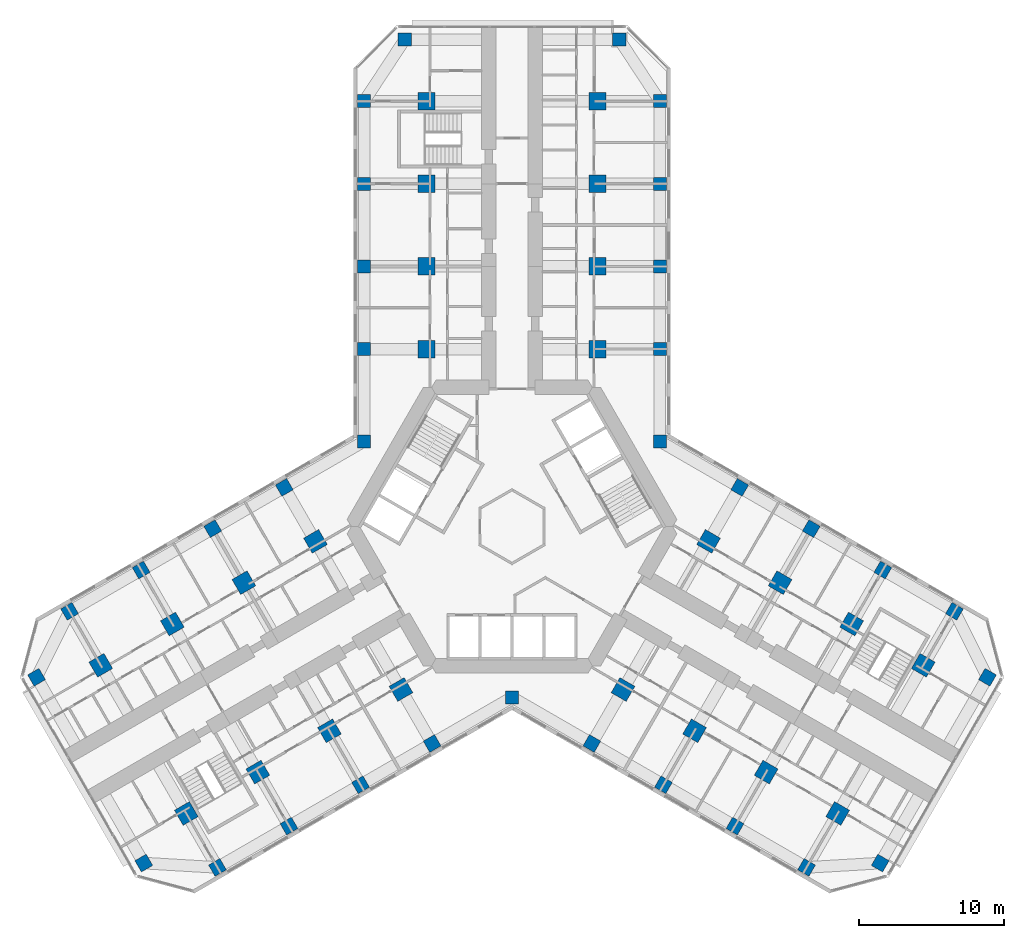
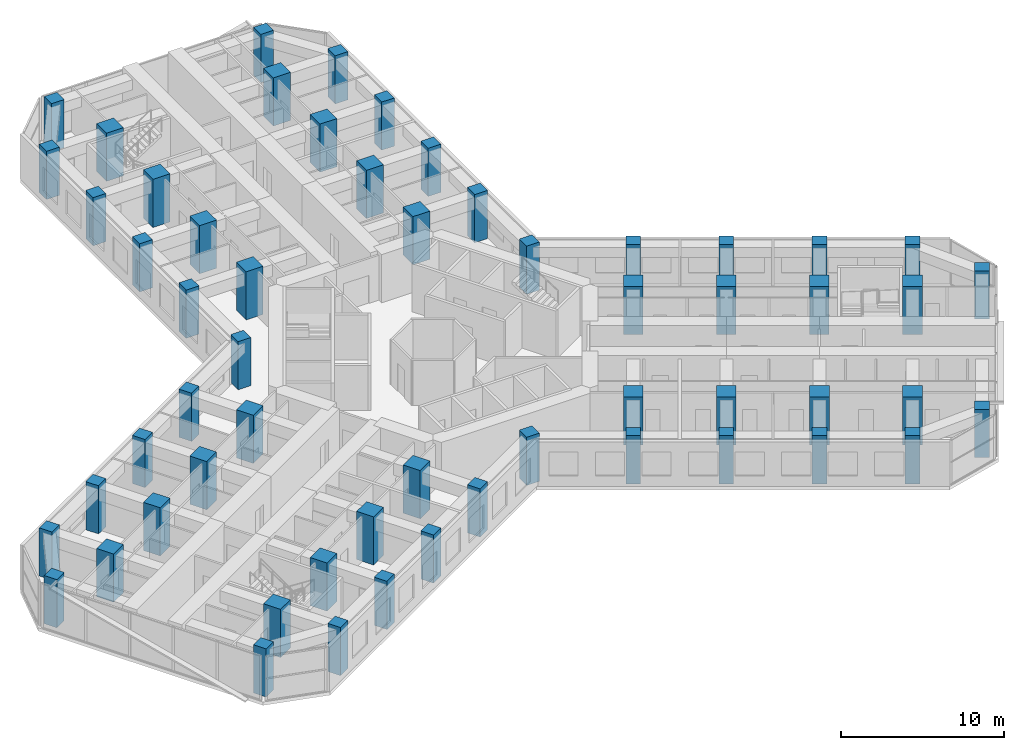
# One storey, part 1 of 21: 57 columns.
"""IFC4 building model written with IfcOpenShell, lengths in metres."""

from ifc_helpers import new_model, si_unit, direction, frame, origin, origin_2d, place, context, subcontext, project, spatial, rectangle, extrude, material, material_profile, profile_set, type_object, element, save


model = new_model("IFC4")

# Units and contexts
model_context = context("Model", 3, precision=1e-05, world=origin(), true_north=direction((0.0, 1.0)))
body_context = subcontext(model_context, "Body", "Model", "MODEL_VIEW")
ifc_project = project(units=[si_unit("LENGTHUNIT", "METRE"), si_unit("AREAUNIT", "SQUARE_METRE"), si_unit("VOLUMEUNIT", "CUBIC_METRE"), si_unit("PLANEANGLEUNIT", "RADIAN"), si_unit("MASSUNIT", "GRAM", prefix="KILO")], contexts=[model_context])

# Site, building, storey
site_placement = place(None, origin())
site = spatial("IfcSite", under=ifc_project, at=site_placement, CompositionType="ELEMENT")
building_placement = place(site_placement, origin())
building = spatial("IfcBuilding", under=site, at=building_placement, Name="Kosmar Iwan School Tower", CompositionType="ELEMENT")
storey_placement = place(building_placement, frame((0.0, 0.0, 88.0)))
storey = spatial("IfcBuildingStorey", under=building, at=storey_placement, Name="L21", CompositionType="ELEMENT", Elevation=88.0)

# Columns
ifc_material_1 = material(Name="Concrete C50/60", Category="concrete")
ifc_material_profile_1 = material_profile(ifc_material_1, rectangle(XDim=0.89990234375, YDim=0.89990234375, at=origin_2d()), Name="RC 900x900 + HD 400x634")
ifc_profile_set_1 = profile_set([ifc_material_profile_1], Name="Concrete C50/60")
column_type_1 = type_object("IfcColumnType", Name="Composite column 900x900 HD 400x634", PredefinedType="COLUMN", material=ifc_profile_set_1)
for number, where, z_axis, x_axis, name in (
    (1, (-10.199951171875, 12.25, 0.0), (0.0, 0.0, 1.0), (0.0, 1.0, 0.0), "Column AL1 L21"),
    (2, (-10.199951171875, 17.949951171875, 0.0), (0.0, 0.0, 1.0), (0.0, 1.0, 0.0), "Column AL2 L21"),
    (3, (-10.199951171875, 23.64990234375, 0.0), (0.0, 0.0, 1.0), (0.0, 1.0, 0.0), "Column AL3 L21"),
    (4, (-10.199951171875, 29.35009765625, 0.0), (0.0, 0.0, 1.0), (0.0, 1.0, 0.0), "Column AL4 L21"),
    (5, (-7.39990234375, 33.60009765625, 0.0), (0.0, 0.0, 1.0), (0.0, 1.0, 0.0), "Column ALTIP L21"),
    (6, (10.199951171875, 12.25, 0.0), (0.0, 0.0, 1.0), (0.0, 1.0, 0.0), "Column AR1 L21"),
    (7, (10.199951171875, 17.949951171875, 0.0), (0.0, 0.0, 1.0), (0.0, 1.0, 0.0), "Column AR2 L21"),
    (8, (10.199951171875, 23.64990234375, 0.0), (0.0, 0.0, 1.0), (0.0, 1.0, 0.0), "Column AR3 L21"),
    (9, (10.199951171875, 29.35009765625, 0.0), (0.0, 0.0, 1.0), (0.0, 1.0, 0.0), "Column AR4 L21"),
    (10, (7.39990234375, 33.60009765625, 0.0), (0.0, 0.0, 1.0), (0.0, 1.0, 0.0), "Column ARTIP L21"),
    (11, (-5.5087890625, -14.95849609375, 0.0), (0.0, 0.0, 1.0), (-0.866025403784, -0.5, 0.0), "Column BL1 L21"),
    (12, (-10.445068359375, -17.808349609375, 0.0), (0.0, 0.0, 1.0), (-0.866025403784, -0.5, 0.0), "Column BL2 L21"),
    (13, (-15.381591796875, -20.658447265625, 0.0), (0.0, 0.0, 1.0), (-0.866025403784, -0.5, 0.0), "Column BL3 L21"),
    (14, (-20.31787109375, -23.508544921875, 0.0), (0.0, 0.0, 1.0), (-0.866025403784, -0.5, 0.0), "Column BL4 L21"),
    (15, (-25.3984375, -23.20849609375, 0.0), (0.0, 0.0, 1.0), (-0.866025403784, -0.5, 0.0), "Column BLTIP L21"),
    (16, (-15.708740234375, 2.70849609375, 0.0), (0.0, 0.0, 1.0), (-0.866025403784, -0.5, 0.0), "Column BR1 L21"),
    (17, (-20.645263671875, -0.1416015625, 0.0), (0.0, 0.0, 1.0), (-0.866025403784, -0.5, 0.0), "Column BR2 L21"),
    (18, (-25.58154296875, -2.991455078125, 0.0), (0.0, 0.0, 1.0), (-0.866025403784, -0.5, 0.0), "Column BR3 L21"),
    (19, (-30.517822265625, -5.841552734375, 0.0), (0.0, 0.0, 1.0), (-0.866025403784, -0.5, 0.0), "Column BR4 L21"),
    (20, (-32.79833984375, -10.391357421875, 0.0), (0.0, 0.0, 1.0), (-0.866025403784, -0.5, 0.0), "Column BRTIP L21"),
    (21, (15.708740234375, 2.70849609375, 0.0), (0.0, 0.0, 1.0), (0.866025403784, -0.5, 0.0), "Column CL1 L21"),
    (22, (20.645263671875, -0.1416015625, 0.0), (0.0, 0.0, 1.0), (0.866025403784, -0.5, 0.0), "Column CL2 L21"),
    (23, (25.58154296875, -2.991455078125, 0.0), (0.0, 0.0, 1.0), (0.866025403784, -0.5, 0.0), "Column CL3 L21"),
    (24, (30.517822265625, -5.841552734375, 0.0), (0.0, 0.0, 1.0), (0.866025403784, -0.5, 0.0), "Column CL4 L21"),
    (25, (32.79833984375, -10.391357421875, 0.0), (0.0, 0.0, 1.0), (0.866025403784, -0.5, 0.0), "Column CLTIP L21"),
    (26, (5.5087890625, -14.95849609375, 0.0), (0.0, 0.0, 1.0), (0.866025403784, -0.5, 0.0), "Column CR1 L21"),
    (27, (10.445068359375, -17.808349609375, 0.0), (0.0, 0.0, 1.0), (0.866025403784, -0.5, 0.0), "Column CR2 L21"),
    (28, (15.381591796875, -20.658447265625, 0.0), (0.0, 0.0, 1.0), (0.866025403784, -0.5, 0.0), "Column CR3 L21"),
    (29, (20.31787109375, -23.508544921875, 0.0), (0.0, 0.0, 1.0), (0.866025403784, -0.5, 0.0), "Column CR4 L21"),
    (30, (25.3984375, -23.20849609375, 0.0), (0.0, 0.0, 1.0), (0.866025403784, -0.5, 0.0), "Column CRTIP L21"),
    (31, (-10.199951171875, 5.888916015625, 0.0), (0.0, 0.0, 1.0), (1.0, 0.0, 0.0), "Column RAB L21"),
    (32, (10.199951171875, 5.888916015625, 0.0), (0.0, 0.0, 1.0), (1.0, 0.0, 0.0), "Column RAC L21"),
    (33, (0.0, -11.77783203125, 0.0), (0.0, 0.0, 1.0), (1.0, 0.0, 0.0), "Column RBC L21"),
):
    element("IfcColumn", number, at=place(storey_placement, frame(where, z_axis=z_axis, x_axis=x_axis)), inside=storey, type_object=column_type_1, Name=name, PredefinedType="COLUMN", context=body_context, shape_type="SweptSolid", body=[
        extrude(rectangle(XDim=0.89990234375, YDim=0.89990234375, at=origin_2d()), origin(), (0.0, 0.0, 1.0), 3.60009765625),
    ])
ifc_material_2 = material(Name="Concrete C50/60", Category="concrete")
ifc_material_profile_2 = material_profile(ifc_material_2, rectangle(XDim=1.199951171875, YDim=1.199951171875, at=origin_2d()), Name="RC 1200x1200")
ifc_profile_set_2 = profile_set([ifc_material_profile_2], Name="Concrete C50/60")
column_type_2 = type_object("IfcColumnType", Name="RC interior column 1200x1200", PredefinedType="COLUMN", material=ifc_profile_set_2)
for number, where, z_axis, x_axis, name in (
    (34, (-5.89990234375, 12.25, 0.0), (0.0, 0.0, 1.0), (0.0, 1.0, 0.0), "Interior column ALI1 L21"),
    (35, (-5.89990234375, 17.949951171875, 0.0), (0.0, 0.0, 1.0), (0.0, 1.0, 0.0), "Interior column ALI2 L21"),
    (36, (-5.89990234375, 23.64990234375, 0.0), (0.0, 0.0, 1.0), (0.0, 1.0, 0.0), "Interior column ALI3 L21"),
    (37, (-5.89990234375, 29.35009765625, 0.0), (0.0, 0.0, 1.0), (0.0, 1.0, 0.0), "Interior column ALI4 L21"),
    (38, (5.89990234375, 12.25, 0.0), (0.0, 0.0, 1.0), (0.0, 1.0, 0.0), "Interior column ARI1 L21"),
    (39, (5.89990234375, 17.949951171875, 0.0), (0.0, 0.0, 1.0), (0.0, 1.0, 0.0), "Interior column ARI2 L21"),
    (40, (5.89990234375, 23.64990234375, 0.0), (0.0, 0.0, 1.0), (0.0, 1.0, 0.0), "Interior column ARI3 L21"),
    (41, (5.89990234375, 29.35009765625, 0.0), (0.0, 0.0, 1.0), (0.0, 1.0, 0.0), "Interior column ARI4 L21"),
    (42, (-7.65869140625, -11.234619140625, 0.0), (0.0, 0.0, 1.0), (-0.866025403784, -0.5, 0.0), "Interior column BLI1 L21"),
    (43, (-12.59521484375, -14.08447265625, 0.0), (0.0, 0.0, 1.0), (-0.866025403784, -0.5, 0.0), "Interior column BLI2 L21"),
    (44, (-17.531494140625, -16.9345703125, 0.0), (0.0, 0.0, 1.0), (-0.866025403784, -0.5, 0.0), "Interior column BLI3 L21"),
    (45, (-22.4677734375, -19.78466796875, 0.0), (0.0, 0.0, 1.0), (-0.866025403784, -0.5, 0.0), "Interior column BLI4 L21"),
    (46, (-13.558837890625, -1.015380859375, 0.0), (0.0, 0.0, 1.0), (-0.866025403784, -0.5, 0.0), "Interior column BRI1 L21"),
    (47, (-18.4951171875, -3.865478515625, 0.0), (0.0, 0.0, 1.0), (-0.866025403784, -0.5, 0.0), "Interior column BRI2 L21"),
    (48, (-23.431396484375, -6.71533203125, 0.0), (0.0, 0.0, 1.0), (-0.866025403784, -0.5, 0.0), "Interior column BRI3 L21"),
    (49, (-28.367919921875, -9.5654296875, 0.0), (0.0, 0.0, 1.0), (-0.866025403784, -0.5, 0.0), "Interior column BRI4 L21"),
    (50, (13.558837890625, -1.015380859375, 0.0), (0.0, 0.0, 1.0), (0.866025403784, -0.5, 0.0), "Interior column CLI1 L21"),
    (51, (18.4951171875, -3.865478515625, 0.0), (0.0, 0.0, 1.0), (0.866025403784, -0.5, 0.0), "Interior column CLI2 L21"),
    (52, (23.431396484375, -6.71533203125, 0.0), (0.0, 0.0, 1.0), (0.866025403784, -0.5, 0.0), "Interior column CLI3 L21"),
    (53, (28.367919921875, -9.5654296875, 0.0), (0.0, 0.0, 1.0), (0.866025403784, -0.5, 0.0), "Interior column CLI4 L21"),
    (54, (7.65869140625, -11.234619140625, 0.0), (0.0, 0.0, 1.0), (0.866025403784, -0.5, 0.0), "Interior column CRI1 L21"),
    (55, (12.59521484375, -14.08447265625, 0.0), (0.0, 0.0, 1.0), (0.866025403784, -0.5, 0.0), "Interior column CRI2 L21"),
    (56, (17.531494140625, -16.9345703125, 0.0), (0.0, 0.0, 1.0), (0.866025403784, -0.5, 0.0), "Interior column CRI3 L21"),
    (57, (22.4677734375, -19.78466796875, 0.0), (0.0, 0.0, 1.0), (0.866025403784, -0.5, 0.0), "Interior column CRI4 L21"),
):
    element("IfcColumn", number, at=place(storey_placement, frame(where, z_axis=z_axis, x_axis=x_axis)), inside=storey, type_object=column_type_2, Name=name, PredefinedType="COLUMN", context=body_context, shape_type="SweptSolid", body=[
        extrude(rectangle(XDim=1.199951171875, YDim=1.199951171875, at=origin_2d()), origin(), (0.0, 0.0, 1.0), 3.60009765625),
    ])

save(model, "model.ifc")
